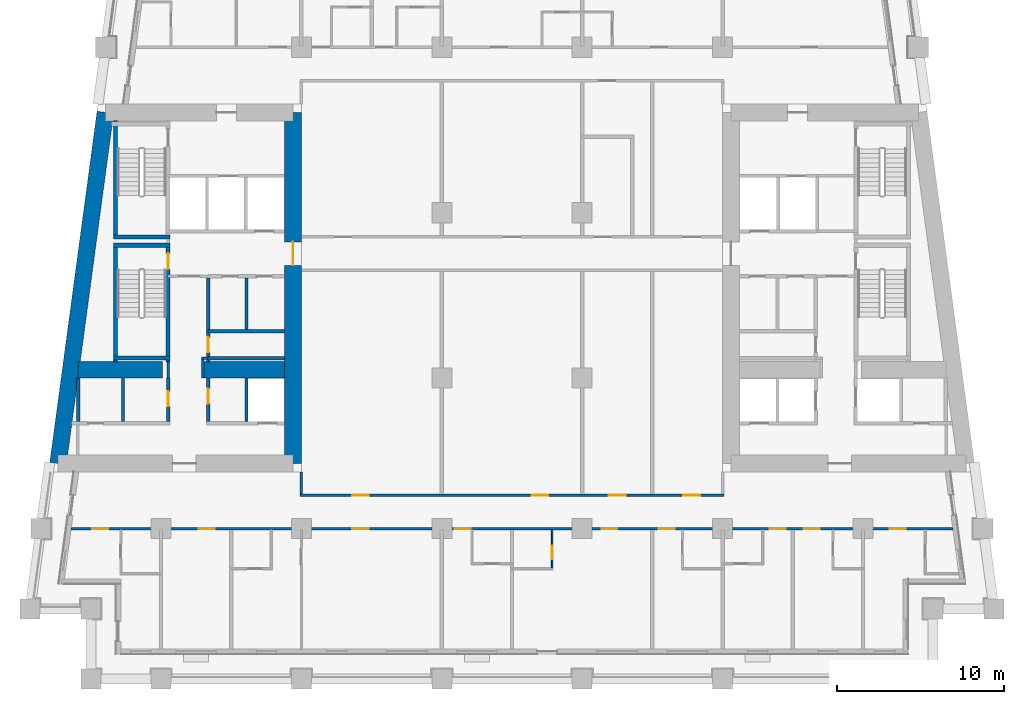
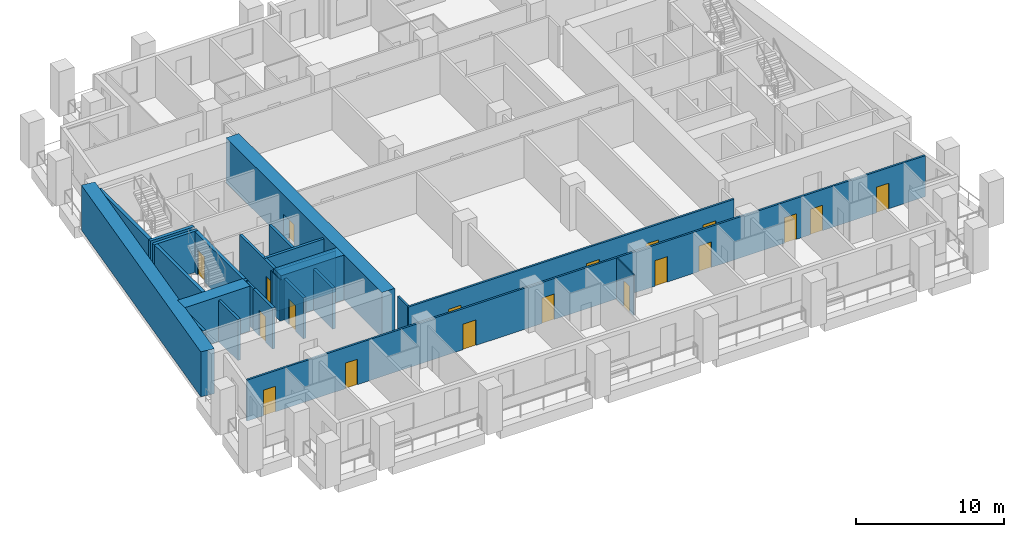
# One storey, part 3 of 13: 26 walls, 19 doors, 19 openings.
"""IFC4 building model written with IfcOpenShell, lengths in metres."""

import ifcopenshell
import ifcopenshell.guid

model = None  # the IFC model being written
_history = None  # IfcOwnerHistory: only IFC2X3 demands one
_inside = {}  # id of a spatial element -> (the spatial element, [elements in it])
_under = {}  # id of a project, library or spatial element -> (it, [spatial elements below it])
_declared = {}  # id of a project -> (the project, [libraries it declares])
_typed = {}  # id of a type object -> (the type object, [elements of that type])
_made_of = {}  # id of a material, layer set ... -> (it, [elements and type objects made of it])


def new_model(schema):
    """Start an empty IFC model of exactly this schema.

    Asked for "IFC4X3", IfcOpenShell would pick the latest addendum, in which some entities
    have other attributes; the version numbers below select the first issue.
    IFC2X3 requires an IfcOwnerHistory on every rooted entity: one is made here for all.
    """
    global model, _history
    if schema == "IFC4X3":
        model = ifcopenshell.file(schema_version=(4, 3, 0, 0))
    else:
        model = ifcopenshell.file(schema=schema)
    _inside.clear()
    _under.clear()
    _declared.clear()
    _typed.clear()
    _made_of.clear()
    _history = None
    if model.schema == "IFC2X3":
        org = make("IfcOrganization", Name="unknown")
        user = make(
            "IfcPersonAndOrganization",
            ThePerson=make("IfcPerson", FamilyName="unknown"),
            TheOrganization=org,
        )
        app = make(
            "IfcApplication",
            ApplicationDeveloper=org,
            Version="unknown",
            ApplicationFullName="unknown",
            ApplicationIdentifier="unknown",
        )
        _history = make(
            "IfcOwnerHistory",
            OwningUser=user,
            OwningApplication=app,
            ChangeAction="ADDED",
            CreationDate=0,
        )
    return model


def make(cls, **values):
    """One entity of the class cls with the attributes given. An attribute that is None is left unset."""
    return model.create_entity(
        cls, **{name: value for name, value in values.items() if value is not None}
    )


def rooted(cls, **values):
    """An entity with a GlobalId (a new one), such as an element, a storey or a relation."""
    return make(cls, GlobalId=ifcopenshell.guid.new(), OwnerHistory=_history, **values)


def si_unit(unit_type, name, prefix=None):
    """IfcSIUnit, for example si_unit("LENGTHUNIT", "METRE", prefix="MILLI")."""
    return make("IfcSIUnit", UnitType=unit_type, Prefix=prefix, Name=name)


def assignment(units):
    """IfcUnitAssignment: the units of a project."""
    return None if units is None else make("IfcUnitAssignment", Units=units)


def point(xyz):
    """IfcCartesianPoint."""
    return None if xyz is None else make("IfcCartesianPoint", Coordinates=xyz)


def direction(xyz):
    """IfcDirection."""
    return None if xyz is None else make("IfcDirection", DirectionRatios=xyz)


def frame(location, z_axis=None, x_axis=None):
    """IfcAxis2Placement3D, a coordinate frame: its origin and axes. An axis left out is left unset."""
    return make(
        "IfcAxis2Placement3D",
        Location=point(location),
        Axis=direction(z_axis),
        RefDirection=direction(x_axis),
    )


def frame_2d(location, x_axis=None):
    """IfcAxis2Placement2D, a coordinate frame in the plane: its origin and x axis."""
    return make(
        "IfcAxis2Placement2D", Location=point(location), RefDirection=direction(x_axis)
    )


def origin():
    """The frame at (0, 0, 0) with its axes left unset."""
    return frame((0.0, 0.0, 0.0))


def place(relative_to, where):
    """IfcLocalPlacement: puts the frame where relative to a parent placement (None: the world)."""
    return make(
        "IfcLocalPlacement", PlacementRelTo=relative_to, RelativePlacement=where
    )


def context(
    kind, dimensions, precision=None, world=None, true_north=None, identifier=None
):
    """IfcGeometricRepresentationContext, for example the 3D "Model" context."""
    return make(
        "IfcGeometricRepresentationContext",
        ContextIdentifier=identifier,
        ContextType=kind,
        CoordinateSpaceDimension=dimensions,
        Precision=precision,
        WorldCoordinateSystem=world,
        TrueNorth=true_north,
    )


def subcontext(parent, identifier, kind, view, scale=None):
    """IfcGeometricRepresentationSubContext, for example "Body" below "Model"."""
    return make(
        "IfcGeometricRepresentationSubContext",
        ContextIdentifier=identifier,
        ContextType=kind,
        ParentContext=parent,
        TargetScale=scale,
        TargetView=view,
    )


def project(units=None, contexts=None):
    """IfcProject with its units and contexts."""
    return rooted(
        "IfcProject",
        Name="project",
        RepresentationContexts=contexts,
        UnitsInContext=assignment(units),
    )


def spatial(cls, under=None, at=None, **own):
    """A site, building, storey or space (cls), placed at a placement, below another one or the project."""
    s = rooted(cls, ObjectPlacement=at, **own)
    if under is not None:
        _under.setdefault(under.id(), (under, []))[1].append(s)
    return s


def profile(cls, at=None, kind="AREA", **sizes):
    """A parametric profile (cls). Its sizes go by their IFC names, for example OverallWidth=200.0."""
    return make(cls, ProfileType=kind, Position=at, **sizes)


def rectangle(**sizes):
    """IfcRectangleProfileDef."""
    return profile("IfcRectangleProfileDef", **sizes)


def extrude(swept, where, along, depth):
    """IfcExtrudedAreaSolid: the profile swept, set in the frame where, extruded along a direction by depth."""
    return make(
        "IfcExtrudedAreaSolid",
        SweptArea=swept,
        Position=where,
        ExtrudedDirection=direction(along),
        Depth=depth,
    )


def shape(context_of_items, identifier, shape_type, items):
    """IfcShapeRepresentation: the items that make up one representation, for example the "Body"."""
    return make(
        "IfcShapeRepresentation",
        ContextOfItems=context_of_items,
        RepresentationIdentifier=identifier,
        RepresentationType=shape_type,
        Items=items,
    )


def material(Name=None, Category=None):
    """IfcMaterial."""
    return make("IfcMaterial", Name=Name, Category=Category)


def layer(
    of_material, thickness, ventilated=None, Name=None, Category=None, Priority=None
):
    """IfcMaterialLayer: one layer of a wall or slab, of a material (None: an air gap)."""
    return make(
        "IfcMaterialLayer",
        Material=of_material,
        LayerThickness=thickness,
        IsVentilated=ventilated,
        Name=Name,
        Category=Category,
        Priority=Priority,
    )


def layer_set(layers, Name=None):
    """IfcMaterialLayerSet."""
    return make("IfcMaterialLayerSet", MaterialLayers=layers, LayerSetName=Name)


def made_of(thing, what):
    """Note that an element or type object is made of a material, layer set ...; save() writes the relation."""
    if what is not None:
        _made_of.setdefault(what.id(), (what, []))[1].append(thing)
    return thing


def type_object(cls, material=None, **own):
    """A type object (cls), such as IfcWallType, which elements share."""
    return made_of(rooted(cls, **own), material)


def element(
    cls,
    number,
    at=None,
    inside=None,
    cuts=None,
    type_object=None,
    material=None,
    context=None,
    identifier="Body",
    shape_type=None,
    held_by="IfcProductDefinitionShape",
    body=None,
    shapes=None,
    **own,
):
    """One element of the class cls, such as IfcWall. Its Tag is "e" and its number.

    at: its placement. inside: the storey or other place that contains it. cuts: it is an
    opening in that element (IfcRelVoidsElement). A single representation is given by context,
    identifier, shape_type and body (its items); several are given by shapes. held_by: the class
    of the entity that holds the representations. save() writes the other relations.
    """
    e = rooted(cls, Tag="e%d" % number, ObjectPlacement=at, **own)
    if body is not None:
        shapes = [shape(context, identifier, shape_type, body)]
    if shapes is not None:
        e.Representation = make(held_by, Representations=shapes)
    if inside is not None:
        _inside.setdefault(inside.id(), (inside, []))[1].append(e)
    if cuts is not None:
        rooted(
            "IfcRelVoidsElement", RelatingBuildingElement=cuts, RelatedOpeningElement=e
        )
    if type_object is not None:
        _typed.setdefault(type_object.id(), (type_object, []))[1].append(e)
    return made_of(e, material)


def fill(opening, filler):
    """IfcRelFillsElement: the door or window that sits in an opening."""
    return rooted(
        "IfcRelFillsElement",
        RelatingOpeningElement=opening,
        RelatedBuildingElement=filler,
    )


def aggregate(whole, parts):
    """IfcRelAggregates: a whole, such as a stair, and the parts it consists of."""
    return rooted("IfcRelAggregates", RelatingObject=whole, RelatedObjects=parts)


def save(model, path):
    """Write the relations noted so far, then the file.

    IfcRelAggregates (storeys below a building ...), IfcRelContainedInSpatialStructure (elements
    in a storey), IfcRelDefinesByType, IfcRelAssociatesMaterial and IfcRelDeclares: one each for
    every whole, place, type object, material and project.
    """
    for whole, parts in _under.values():
        aggregate(whole, parts)
    for where, things in _inside.values():
        rooted(
            "IfcRelContainedInSpatialStructure",
            RelatedElements=things,
            RelatingStructure=where,
        )
    for kind, things in _typed.values():
        rooted("IfcRelDefinesByType", RelatedObjects=things, RelatingType=kind)
    for what, things in _made_of.values():
        rooted("IfcRelAssociatesMaterial", RelatedObjects=things, RelatingMaterial=what)
    for by, libraries in _declared.values():
        rooted("IfcRelDeclares", RelatingContext=by, RelatedDefinitions=libraries)
    model.write(path)


model = new_model("IFC4")

# Units and contexts
model_context = context("Model", 3, precision=1e-05, world=origin(), true_north=direction((0.0, 1.0)))
body_context = subcontext(model_context, "Body", "Model", "MODEL_VIEW")
ifc_project = project(units=[si_unit("LENGTHUNIT", "METRE"), si_unit("AREAUNIT", "SQUARE_METRE"), si_unit("VOLUMEUNIT", "CUBIC_METRE"), si_unit("PLANEANGLEUNIT", "RADIAN"), si_unit("MASSUNIT", "GRAM", prefix="KILO")], contexts=[model_context])

# Site, building, storey
site_placement = place(None, origin())
site = spatial("IfcSite", under=ifc_project, at=site_placement, CompositionType="ELEMENT")
building_placement = place(site_placement, origin())
building = spatial("IfcBuilding", under=site, at=building_placement, Name="Candeia Pilgrim Tower and Theatre", CompositionType="ELEMENT")
storey_placement = place(building_placement, frame((0.0, 0.0, 128.0)))
storey = spatial("IfcBuildingStorey", under=building, at=storey_placement, Name="L30", CompositionType="ELEMENT", Elevation=128.0)

# Wall, opening, door
ifc_material_1 = material(Name="Concrete C70/85", Category="concrete")
ifc_layer_1 = layer(ifc_material_1, 1.0)
ifc_layer_set_1 = layer_set([ifc_layer_1], Name="Core wall 1000 C70/85")
wall_type_1 = type_object("IfcWallType", Name="Core wall 1000 C70/85", PredefinedType="SHEAR", material=ifc_layer_set_1)
wall_1_placement = place(storey_placement, frame((100.300048828125, 131.89990234375, 0.0), z_axis=(0.0, 0.0, 1.0), x_axis=(0.0, -1.0, 0.0)))
wall_1 = element("IfcWall", 1, at=wall_1_placement, inside=storey, type_object=wall_type_1, Name="Core wall W2", PredefinedType="SHEAR", context=body_context, shape_type="SweptSolid", body=[
    extrude(rectangle(XDim=21.0, YDim=1.0, at=frame_2d((10.5, 0.0))), origin(), (0.0, 0.0, 1.0), 3.699951171875),
])
opening_1_placement = place(wall_1_placement, frame((7.75, 0.0, 0.0)))
opening_1 = element("IfcOpeningElement", 2, at=opening_1_placement, cuts=wall_1, Name="Opening L30-D058", PredefinedType="OPENING", context=body_context, shape_type="SweptSolid", body=[
    extrude(rectangle(XDim=1.39990234375, YDim=2.10009765625, at=frame_2d((0.699951171875, 1.050048828125))), frame((0.0, 0.510009765625, 0.0), z_axis=(0.0, -1.0, 0.0), x_axis=(1.0, 0.0, 0.0)), (0.0, 0.0, 1.0), 1.02001953125),
])
ifc_material_2 = material(Name="Steel fire door set", Category="steel")
door_type_1 = type_object("IfcDoorType", Name="D-1400-FD60", OperationType="NOTDEFINED", PredefinedType="DOOR", material=ifc_material_2)
door_1_placement = place(opening_1_placement, origin())
door_1 = element("IfcDoor", 3, at=door_1_placement, inside=storey, type_object=door_type_1, Name="Door L30-D058", OperationType="SINGLE_SWING_RIGHT", OverallHeight=2.10009765625, OverallWidth=1.39990234375, PredefinedType="DOOR", context=body_context, shape_type="SweptSolid", body=[
    extrude(rectangle(XDim=1.39990234375, YDim=2.10009765625, at=frame_2d((0.699951171875, 1.050048828125))), frame((0.0, 0.02490234375, 0.0), z_axis=(0.0, -1.0, 0.0), x_axis=(1.0, 0.0, 0.0)), (0.0, 0.0, 1.0), 0.050048828125),
])
fill(opening_1, door_1)

# Walls
wall_2_placement = place(storey_placement, frame((86.240966796875, 110.89990234375, 0.0), z_axis=(0.0, 0.0, 1.0), x_axis=(0.133411141623, 0.991060778808, 0.0)))
element("IfcWall", 4, at=wall_2_placement, inside=storey, type_object=wall_type_1, Name="Core wall W4", PredefinedType="SHEAR", context=body_context, shape_type="SweptSolid", body=[
    extrude(rectangle(XDim=21.189453125, YDim=1.0, at=frame_2d((10.5947265625, 0.0))), origin(), (0.0, 0.0, 1.0), 3.699951171875),
])
wall_3_placement = place(storey_placement, frame((87.423095703125, 116.5, 0.0), z_axis=(0.0, 0.0, 1.0), x_axis=(1.0, 0.0, 0.0)))
element("IfcWall", 5, at=wall_3_placement, inside=storey, type_object=wall_type_1, Name="Core wall W5", PredefinedType="SHEAR", context=body_context, shape_type="SweptSolid", body=[
    extrude(rectangle(XDim=5.076904296875, YDim=1.0, at=frame_2d((2.53857421875, 0.0))), origin(), (0.0, 0.0, 1.0), 3.699951171875),
])
wall_4_placement = place(storey_placement, frame((94.89990234375, 116.5, 0.0), z_axis=(0.0, 0.0, 1.0), x_axis=(1.0, 0.0, 0.0)))
element("IfcWall", 6, at=wall_4_placement, inside=storey, type_object=wall_type_1, Name="Core wall W6", PredefinedType="SHEAR", context=body_context, shape_type="SweptSolid", body=[
    extrude(rectangle(XDim=4.900146484375, YDim=1.0, at=frame_2d((2.4501953125, 0.0))), origin(), (0.0, 0.0, 1.0), 3.699951171875),
])

# Wall, opening, door
ifc_material_3 = material(Name="Gypsum board partition on steel studs", Category="steel")
ifc_layer_2 = layer(ifc_material_3, 0.10009765625)
ifc_layer_set_2 = layer_set([ifc_layer_2], Name="PW-100 room partition")
wall_type_2 = type_object("IfcWallType", Name="PW-100 room partition", PredefinedType="PARTITIONING", material=ifc_layer_set_2)
wall_5_placement = place(storey_placement, frame((115.800048828125, 104.64990234375, 0.0), z_axis=(0.0, 0.0, 1.0), x_axis=(0.0, 1.0, 0.0)))
wall_5 = element("IfcWall", 7, at=wall_5_placement, inside=storey, type_object=wall_type_2, Name="Room partition L30-085", PredefinedType="PARTITIONING", context=body_context, shape_type="SweptSolid", body=[
    extrude(rectangle(XDim=2.275146484375, YDim=0.10009765625, at=frame_2d((1.1376953125, 0.0))), origin(), (0.0, 0.0, 1.0), 3.3798828125),
])
opening_2_placement = place(wall_5_placement, frame((0.52490234375, 0.0, 0.0)))
opening_2 = element("IfcOpeningElement", 8, at=opening_2_placement, cuts=wall_5, Name="Opening L30-D026", PredefinedType="OPENING", context=body_context, shape_type="SweptSolid", body=[
    extrude(rectangle(XDim=0.800048828125, YDim=2.10009765625, at=frame_2d((0.39990234375, 1.050048828125))), frame((0.0, 0.06005859375, 0.0), z_axis=(0.0, -1.0, 0.0), x_axis=(1.0, 0.0, 0.0)), (0.0, 0.0, 1.0), 0.1201171875),
])
ifc_material_4 = material(Name="Timber door leaf", Category="wood")
door_type_2 = type_object("IfcDoorType", Name="D-800", OperationType="NOTDEFINED", PredefinedType="DOOR", material=ifc_material_4)
door_2_placement = place(opening_2_placement, origin())
door_2 = element("IfcDoor", 9, at=door_2_placement, inside=storey, type_object=door_type_2, Name="Door L30-D026", OperationType="SINGLE_SWING_RIGHT", OverallHeight=2.10009765625, OverallWidth=0.800048828125, PredefinedType="DOOR", context=body_context, shape_type="SweptSolid", body=[
    extrude(rectangle(XDim=0.800048828125, YDim=2.10009765625, at=frame_2d((0.39990234375, 1.050048828125))), frame((0.0, 0.02490234375, 0.0), z_axis=(0.0, -1.0, 0.0), x_axis=(1.0, 0.0, 0.0)), (0.0, 0.0, 1.0), 0.050048828125),
])
fill(opening_2, door_2)

# Walls
ifc_layer_3 = layer(ifc_material_3, 0.14990234375)
ifc_layer_set_3 = layer_set([ifc_layer_3], Name="PW-150 lobby wall")
wall_type_3 = type_object("IfcWallType", Name="PW-150 lobby wall", PredefinedType="PARTITIONING", material=ifc_layer_set_3)
wall_6_placement = place(storey_placement, frame((94.824951171875, 117.199951171875, 0.0), z_axis=(0.0, 0.0, 1.0), x_axis=(1.0, 0.0, 0.0)))
element("IfcWall", 10, at=wall_6_placement, inside=storey, type_object=wall_type_3, Name="Lobby wall L30-017", PredefinedType="PARTITIONING", context=body_context, shape_type="SweptSolid", body=[
    extrude(rectangle(XDim=0.402099609375, YDim=0.14990234375, at=frame_2d((0.201171875, 0.0))), origin(), (0.0, 0.0, 1.0), 3.3798828125),
])
wall_7_placement = place(storey_placement, frame((92.826904296875, 116.0, 0.0), z_axis=(0.0, 0.0, 1.0), x_axis=(0.0, 1.0, 0.0)))
element("IfcWall", 11, at=wall_7_placement, inside=storey, type_object=wall_type_3, Name="Lobby wall L30-056", PredefinedType="PARTITIONING", context=body_context, shape_type="SweptSolid", body=[
    extrude(rectangle(XDim=0.969970703125, YDim=0.14990234375, at=frame_2d((0.48486328125, 0.0))), origin(), (0.0, 0.0, 1.0), 3.3798828125),
])
wall_8_placement = place(storey_placement, frame((94.89990234375, 116.0, 0.0), z_axis=(0.0, 0.0, 1.0), x_axis=(0.0, 1.0, 0.0)))
element("IfcWall", 12, at=wall_8_placement, inside=storey, type_object=wall_type_3, Name="Lobby wall L30-061", PredefinedType="PARTITIONING", context=body_context, shape_type="SweptSolid", body=[
    extrude(rectangle(XDim=1.125, YDim=0.14990234375, at=frame_2d((0.5625, 0.0))), origin(), (0.0, 0.0, 1.0), 3.3798828125),
])

# Wall, openings, doors
ifc_layer_4 = layer(ifc_material_3, 0.14990234375)
ifc_layer_set_4 = layer_set([ifc_layer_4], Name="PW-150 unit wall")
wall_type_4 = type_object("IfcWallType", Name="PW-150 unit wall", PredefinedType="PARTITIONING", material=ifc_layer_set_4)
wall_9_placement = place(storey_placement, frame((87.017578125, 107.0, 0.0), z_axis=(0.0, 0.0, 1.0), x_axis=(1.0, 0.0, 0.0)))
wall_9 = element("IfcWall", 13, at=wall_9_placement, inside=storey, type_object=wall_type_4, Name="Unit wall L30-009", PredefinedType="PARTITIONING", context=body_context, shape_type="SweptSolid", body=[
    extrude(rectangle(XDim=52.7646484375, YDim=0.14990234375, at=frame_2d((26.38232421875, 0.0))), origin(), (0.0, 0.0, 1.0), 3.3798828125),
])
opening_3_placement = place(wall_9_placement, frame((1.2763671875, 0.0, 0.0)))
opening_3 = element("IfcOpeningElement", 14, at=opening_3_placement, cuts=wall_9, Name="Opening L30-D017", PredefinedType="OPENING", context=body_context, shape_type="SweptSolid", body=[
    extrude(rectangle(XDim=0.949951171875, YDim=2.10009765625, at=frame_2d((0.47509765625, 1.050048828125))), frame((0.0, 0.0849609375, 0.0), z_axis=(0.0, -1.0, 0.0), x_axis=(1.0, 0.0, 0.0)), (0.0, 0.0, 1.0), 0.169921875),
])
opening_4_placement = place(wall_9_placement, frame((7.645263671875, 0.0, 0.0)))
opening_4 = element("IfcOpeningElement", 15, at=opening_4_placement, cuts=wall_9, Name="Opening L30-D019", PredefinedType="OPENING", context=body_context, shape_type="SweptSolid", body=[
    extrude(rectangle(XDim=0.949951171875, YDim=2.10009765625, at=frame_2d((0.47509765625, 1.050048828125))), frame((0.0, 0.0849609375, 0.0), z_axis=(0.0, -1.0, 0.0), x_axis=(1.0, 0.0, 0.0)), (0.0, 0.0, 1.0), 0.169921875),
])
opening_5_placement = place(wall_9_placement, frame((16.812255859375, 0.0, 0.0)))
opening_5 = element("IfcOpeningElement", 16, at=opening_5_placement, cuts=wall_9, Name="Opening L30-D020", PredefinedType="OPENING", context=body_context, shape_type="SweptSolid", body=[
    extrude(rectangle(XDim=1.0, YDim=2.10009765625, at=frame_2d((0.5, 1.050048828125))), frame((0.0, 0.0849609375, 0.0), z_axis=(0.0, -1.0, 0.0), x_axis=(1.0, 0.0, 0.0)), (0.0, 0.0, 1.0), 0.169921875),
])
opening_6_placement = place(wall_9_placement, frame((22.952392578125, 0.0, 0.0)))
opening_6 = element("IfcOpeningElement", 17, at=opening_6_placement, cuts=wall_9, Name="Opening L30-D023", PredefinedType="OPENING", context=body_context, shape_type="SweptSolid", body=[
    extrude(rectangle(XDim=0.949951171875, YDim=2.10009765625, at=frame_2d((0.47509765625, 1.050048828125))), frame((0.0, 0.0849609375, 0.0), z_axis=(0.0, -1.0, 0.0), x_axis=(1.0, 0.0, 0.0)), (0.0, 0.0, 1.0), 0.169921875),
])
opening_7_placement = place(wall_9_placement, frame((31.7421875, 0.0, 0.0)))
opening_7 = element("IfcOpeningElement", 18, at=opening_7_placement, cuts=wall_9, Name="Opening L30-D025", PredefinedType="OPENING", context=body_context, shape_type="SweptSolid", body=[
    extrude(rectangle(XDim=0.949951171875, YDim=2.10009765625, at=frame_2d((0.47509765625, 1.050048828125))), frame((0.0, 0.0849609375, 0.0), z_axis=(0.0, -1.0, 0.0), x_axis=(1.0, 0.0, 0.0)), (0.0, 0.0, 1.0), 0.169921875),
])
opening_8_placement = place(wall_9_placement, frame((35.169189453125, 0.0, 0.0)))
opening_8 = element("IfcOpeningElement", 19, at=opening_8_placement, cuts=wall_9, Name="Opening L30-D027", PredefinedType="OPENING", context=body_context, shape_type="SweptSolid", body=[
    extrude(rectangle(XDim=0.949951171875, YDim=2.10009765625, at=frame_2d((0.47509765625, 1.050048828125))), frame((0.0, 0.0849609375, 0.0), z_axis=(0.0, -1.0, 0.0), x_axis=(1.0, 0.0, 0.0)), (0.0, 0.0, 1.0), 0.169921875),
])
opening_9_placement = place(wall_9_placement, frame((41.807373046875, 0.0, 0.0)))
opening_9 = element("IfcOpeningElement", 20, at=opening_9_placement, cuts=wall_9, Name="Opening L30-D029", PredefinedType="OPENING", context=body_context, shape_type="SweptSolid", body=[
    extrude(rectangle(XDim=0.949951171875, YDim=2.10009765625, at=frame_2d((0.47509765625, 1.050048828125))), frame((0.0, 0.0849609375, 0.0), z_axis=(0.0, -1.0, 0.0), x_axis=(1.0, 0.0, 0.0)), (0.0, 0.0, 1.0), 0.169921875),
])
opening_10_placement = place(wall_9_placement, frame((43.832275390625, 0.0, 0.0)))
opening_10 = element("IfcOpeningElement", 21, at=opening_10_placement, cuts=wall_9, Name="Opening L30-D031", PredefinedType="OPENING", context=body_context, shape_type="SweptSolid", body=[
    extrude(rectangle(XDim=0.949951171875, YDim=2.10009765625, at=frame_2d((0.47509765625, 1.050048828125))), frame((0.0, 0.0849609375, 0.0), z_axis=(0.0, -1.0, 0.0), x_axis=(1.0, 0.0, 0.0)), (0.0, 0.0, 1.0), 0.169921875),
])
opening_11_placement = place(wall_9_placement, frame((48.974365234375, 0.0, 0.0)))
opening_11 = element("IfcOpeningElement", 22, at=opening_11_placement, cuts=wall_9, Name="Opening L30-D033", PredefinedType="OPENING", context=body_context, shape_type="SweptSolid", body=[
    extrude(rectangle(XDim=0.949951171875, YDim=2.10009765625, at=frame_2d((0.47509765625, 1.050048828125))), frame((0.0, 0.0849609375, 0.0), z_axis=(0.0, -1.0, 0.0), x_axis=(1.0, 0.0, 0.0)), (0.0, 0.0, 1.0), 0.169921875),
])
door_type_3 = type_object("IfcDoorType", Name="D-1000-FD30S", OperationType="NOTDEFINED", PredefinedType="DOOR", material=ifc_material_2)
door_3_placement = place(opening_5_placement, origin())
door_3 = element("IfcDoor", 23, at=door_3_placement, inside=storey, type_object=door_type_3, Name="Door L30-D020", OperationType="SINGLE_SWING_RIGHT", OverallHeight=2.10009765625, OverallWidth=1.0, PredefinedType="DOOR", context=body_context, shape_type="SweptSolid", body=[
    extrude(rectangle(XDim=1.0, YDim=2.10009765625, at=frame_2d((0.5, 1.050048828125))), frame((0.0, 0.02490234375, 0.0), z_axis=(0.0, -1.0, 0.0), x_axis=(1.0, 0.0, 0.0)), (0.0, 0.0, 1.0), 0.050048828125),
])
fill(opening_5, door_3)
door_type_4 = type_object("IfcDoorType", Name="D-950-FD30S", OperationType="NOTDEFINED", PredefinedType="DOOR", material=ifc_material_2)
door_4_placement = place(opening_3_placement, origin())
door_4 = element("IfcDoor", 24, at=door_4_placement, inside=storey, type_object=door_type_4, Name="Door L30-D017", OperationType="SINGLE_SWING_LEFT", OverallHeight=2.10009765625, OverallWidth=0.949951171875, PredefinedType="DOOR", context=body_context, shape_type="SweptSolid", body=[
    extrude(rectangle(XDim=0.949951171875, YDim=2.10009765625, at=frame_2d((0.47509765625, 1.050048828125))), frame((0.0, 0.02490234375, 0.0), z_axis=(0.0, -1.0, 0.0), x_axis=(1.0, 0.0, 0.0)), (0.0, 0.0, 1.0), 0.050048828125),
])
fill(opening_3, door_4)
door_5_placement = place(opening_4_placement, origin())
door_5 = element("IfcDoor", 25, at=door_5_placement, inside=storey, type_object=door_type_4, Name="Door L30-D019", OperationType="SINGLE_SWING_LEFT", OverallHeight=2.10009765625, OverallWidth=0.949951171875, PredefinedType="DOOR", context=body_context, shape_type="SweptSolid", body=[
    extrude(rectangle(XDim=0.949951171875, YDim=2.10009765625, at=frame_2d((0.47509765625, 1.050048828125))), frame((0.0, 0.02490234375, 0.0), z_axis=(0.0, -1.0, 0.0), x_axis=(1.0, 0.0, 0.0)), (0.0, 0.0, 1.0), 0.050048828125),
])
fill(opening_4, door_5)
door_6_placement = place(opening_6_placement, origin())
door_6 = element("IfcDoor", 26, at=door_6_placement, inside=storey, type_object=door_type_4, Name="Door L30-D023", OperationType="SINGLE_SWING_LEFT", OverallHeight=2.10009765625, OverallWidth=0.949951171875, PredefinedType="DOOR", context=body_context, shape_type="SweptSolid", body=[
    extrude(rectangle(XDim=0.949951171875, YDim=2.10009765625, at=frame_2d((0.47509765625, 1.050048828125))), frame((0.0, 0.02490234375, 0.0), z_axis=(0.0, -1.0, 0.0), x_axis=(1.0, 0.0, 0.0)), (0.0, 0.0, 1.0), 0.050048828125),
])
fill(opening_6, door_6)
door_7_placement = place(opening_7_placement, origin())
door_7 = element("IfcDoor", 27, at=door_7_placement, inside=storey, type_object=door_type_4, Name="Door L30-D025", OperationType="SINGLE_SWING_LEFT", OverallHeight=2.10009765625, OverallWidth=0.949951171875, PredefinedType="DOOR", context=body_context, shape_type="SweptSolid", body=[
    extrude(rectangle(XDim=0.949951171875, YDim=2.10009765625, at=frame_2d((0.47509765625, 1.050048828125))), frame((0.0, 0.02490234375, 0.0), z_axis=(0.0, -1.0, 0.0), x_axis=(1.0, 0.0, 0.0)), (0.0, 0.0, 1.0), 0.050048828125),
])
fill(opening_7, door_7)
door_8_placement = place(opening_8_placement, origin())
door_8 = element("IfcDoor", 28, at=door_8_placement, inside=storey, type_object=door_type_4, Name="Door L30-D027", OperationType="SINGLE_SWING_LEFT", OverallHeight=2.10009765625, OverallWidth=0.949951171875, PredefinedType="DOOR", context=body_context, shape_type="SweptSolid", body=[
    extrude(rectangle(XDim=0.949951171875, YDim=2.10009765625, at=frame_2d((0.47509765625, 1.050048828125))), frame((0.0, 0.02490234375, 0.0), z_axis=(0.0, -1.0, 0.0), x_axis=(1.0, 0.0, 0.0)), (0.0, 0.0, 1.0), 0.050048828125),
])
fill(opening_8, door_8)
door_9_placement = place(opening_9_placement, origin())
door_9 = element("IfcDoor", 29, at=door_9_placement, inside=storey, type_object=door_type_4, Name="Door L30-D029", OperationType="SINGLE_SWING_LEFT", OverallHeight=2.10009765625, OverallWidth=0.949951171875, PredefinedType="DOOR", context=body_context, shape_type="SweptSolid", body=[
    extrude(rectangle(XDim=0.949951171875, YDim=2.10009765625, at=frame_2d((0.47509765625, 1.050048828125))), frame((0.0, 0.02490234375, 0.0), z_axis=(0.0, -1.0, 0.0), x_axis=(1.0, 0.0, 0.0)), (0.0, 0.0, 1.0), 0.050048828125),
])
fill(opening_9, door_9)
door_10_placement = place(opening_10_placement, origin())
door_10 = element("IfcDoor", 30, at=door_10_placement, inside=storey, type_object=door_type_4, Name="Door L30-D031", OperationType="SINGLE_SWING_LEFT", OverallHeight=2.10009765625, OverallWidth=0.949951171875, PredefinedType="DOOR", context=body_context, shape_type="SweptSolid", body=[
    extrude(rectangle(XDim=0.949951171875, YDim=2.10009765625, at=frame_2d((0.47509765625, 1.050048828125))), frame((0.0, 0.02490234375, 0.0), z_axis=(0.0, -1.0, 0.0), x_axis=(1.0, 0.0, 0.0)), (0.0, 0.0, 1.0), 0.050048828125),
])
fill(opening_10, door_10)
door_11_placement = place(opening_11_placement, origin())
door_11 = element("IfcDoor", 31, at=door_11_placement, inside=storey, type_object=door_type_4, Name="Door L30-D033", OperationType="SINGLE_SWING_LEFT", OverallHeight=2.10009765625, OverallWidth=0.949951171875, PredefinedType="DOOR", context=body_context, shape_type="SweptSolid", body=[
    extrude(rectangle(XDim=0.949951171875, YDim=2.10009765625, at=frame_2d((0.47509765625, 1.050048828125))), frame((0.0, 0.02490234375, 0.0), z_axis=(0.0, -1.0, 0.0), x_axis=(1.0, 0.0, 0.0)), (0.0, 0.0, 1.0), 0.050048828125),
])
fill(opening_11, door_11)

wall_10_placement = place(storey_placement, frame((100.72509765625, 109.0, 0.0), z_axis=(0.0, 0.0, 1.0), x_axis=(1.0, 0.0, 0.0)))
wall_10 = element("IfcWall", 32, at=wall_10_placement, inside=storey, type_object=wall_type_4, Name="Unit wall L30-010", PredefinedType="PARTITIONING", context=body_context, shape_type="SweptSolid", body=[
    extrude(rectangle(XDim=25.349853515625, YDim=0.14990234375, at=frame_2d((12.6748046875, 0.0))), origin(), (0.0, 0.0, 1.0), 3.3798828125),
])
opening_12_placement = place(wall_10_placement, frame((3.10498046875, 0.0, 0.0)))
opening_12 = element("IfcOpeningElement", 33, at=opening_12_placement, cuts=wall_10, Name="Opening L30-D048", PredefinedType="OPENING", context=body_context, shape_type="SweptSolid", body=[
    extrude(rectangle(XDim=1.0, YDim=2.10009765625, at=frame_2d((0.5, 1.050048828125))), frame((0.0, 0.0849609375, 0.0), z_axis=(0.0, -1.0, 0.0), x_axis=(1.0, 0.0, 0.0)), (0.0, 0.0, 1.0), 0.169921875),
])
opening_13_placement = place(wall_10_placement, frame((13.85009765625, 0.0, 0.0)))
opening_13 = element("IfcOpeningElement", 34, at=opening_13_placement, cuts=wall_10, Name="Opening L30-D049", PredefinedType="OPENING", context=body_context, shape_type="SweptSolid", body=[
    extrude(rectangle(XDim=1.0, YDim=2.10009765625, at=frame_2d((0.5, 1.050048828125))), frame((0.0, 0.0849609375, 0.0), z_axis=(0.0, -1.0, 0.0), x_axis=(1.0, 0.0, 0.0)), (0.0, 0.0, 1.0), 0.169921875),
])
opening_14_placement = place(wall_10_placement, frame((18.47509765625, 0.0, 0.0)))
opening_14 = element("IfcOpeningElement", 35, at=opening_14_placement, cuts=wall_10, Name="Opening L30-D050", PredefinedType="OPENING", context=body_context, shape_type="SweptSolid", body=[
    extrude(rectangle(XDim=1.0, YDim=2.10009765625, at=frame_2d((0.5, 1.050048828125))), frame((0.0, 0.0849609375, 0.0), z_axis=(0.0, -1.0, 0.0), x_axis=(1.0, 0.0, 0.0)), (0.0, 0.0, 1.0), 0.169921875),
])
opening_15_placement = place(wall_10_placement, frame((22.925048828125, 0.0, 0.0)))
opening_15 = element("IfcOpeningElement", 36, at=opening_15_placement, cuts=wall_10, Name="Opening L30-D051", PredefinedType="OPENING", context=body_context, shape_type="SweptSolid", body=[
    extrude(rectangle(XDim=1.0, YDim=2.10009765625, at=frame_2d((0.5, 1.050048828125))), frame((0.0, 0.0849609375, 0.0), z_axis=(0.0, -1.0, 0.0), x_axis=(1.0, 0.0, 0.0)), (0.0, 0.0, 1.0), 0.169921875),
])
door_12_placement = place(opening_12_placement, origin())
door_12 = element("IfcDoor", 37, at=door_12_placement, inside=storey, type_object=door_type_3, Name="Door L30-D048", OperationType="SINGLE_SWING_RIGHT", OverallHeight=2.10009765625, OverallWidth=1.0, PredefinedType="DOOR", context=body_context, shape_type="SweptSolid", body=[
    extrude(rectangle(XDim=1.0, YDim=2.10009765625, at=frame_2d((0.5, 1.050048828125))), frame((0.0, 0.02490234375, 0.0), z_axis=(0.0, -1.0, 0.0), x_axis=(1.0, 0.0, 0.0)), (0.0, 0.0, 1.0), 0.050048828125),
])
fill(opening_12, door_12)
door_13_placement = place(opening_13_placement, origin())
door_13 = element("IfcDoor", 38, at=door_13_placement, inside=storey, type_object=door_type_3, Name="Door L30-D049", OperationType="SINGLE_SWING_LEFT", OverallHeight=2.10009765625, OverallWidth=1.0, PredefinedType="DOOR", context=body_context, shape_type="SweptSolid", body=[
    extrude(rectangle(XDim=1.0, YDim=2.10009765625, at=frame_2d((0.5, 1.050048828125))), frame((0.0, 0.02490234375, 0.0), z_axis=(0.0, -1.0, 0.0), x_axis=(1.0, 0.0, 0.0)), (0.0, 0.0, 1.0), 0.050048828125),
])
fill(opening_13, door_13)
door_14_placement = place(opening_14_placement, origin())
door_14 = element("IfcDoor", 39, at=door_14_placement, inside=storey, type_object=door_type_3, Name="Door L30-D050", OperationType="SINGLE_SWING_RIGHT", OverallHeight=2.10009765625, OverallWidth=1.0, PredefinedType="DOOR", context=body_context, shape_type="SweptSolid", body=[
    extrude(rectangle(XDim=1.0, YDim=2.10009765625, at=frame_2d((0.5, 1.050048828125))), frame((0.0, 0.02490234375, 0.0), z_axis=(0.0, -1.0, 0.0), x_axis=(1.0, 0.0, 0.0)), (0.0, 0.0, 1.0), 0.050048828125),
])
fill(opening_14, door_14)
door_15_placement = place(opening_15_placement, origin())
door_15 = element("IfcDoor", 40, at=door_15_placement, inside=storey, type_object=door_type_3, Name="Door L30-D051", OperationType="SINGLE_SWING_LEFT", OverallHeight=2.10009765625, OverallWidth=1.0, PredefinedType="DOOR", context=body_context, shape_type="SweptSolid", body=[
    extrude(rectangle(XDim=1.0, YDim=2.10009765625, at=frame_2d((0.5, 1.050048828125))), frame((0.0, 0.02490234375, 0.0), z_axis=(0.0, -1.0, 0.0), x_axis=(1.0, 0.0, 0.0)), (0.0, 0.0, 1.0), 0.050048828125),
])
fill(opening_15, door_15)

# Walls
wall_11_placement = place(storey_placement, frame((100.800048828125, 109.074951171875, 0.0), z_axis=(0.0, 0.0, 1.0), x_axis=(0.0, 1.0, 0.0)))
element("IfcWall", 41, at=wall_11_placement, inside=storey, type_object=wall_type_4, Name="Unit wall L30-073", PredefinedType="PARTITIONING", context=body_context, shape_type="SweptSolid", body=[
    extrude(rectangle(XDim=1.324951171875, YDim=0.14990234375, at=frame_2d((0.66259765625, 0.0))), origin(), (0.0, 0.0, 1.0), 3.3798828125),
])
ifc_material_5 = material(Name="Concrete C40/50", Category="concrete")
ifc_layer_5 = layer(ifc_material_5, 0.199951171875)
ifc_layer_set_5 = layer_set([ifc_layer_5], Name="SW-200 shaft wall")
wall_type_5 = type_object("IfcWallType", Name="SW-200 shaft wall", PredefinedType="PARTITIONING", material=ifc_layer_set_5)
for number, where, z_axis, x_axis, name in (
    (42, (95.22705078125, 117.199951171875, 0.0), (0.0, 0.0, 1.0), (1.0, 0.0, 0.0), "Shaft wall L30-015"),
    (43, (95.22705078125, 118.800048828125, 0.0), (0.0, 0.0, 1.0), (1.0, 0.0, 0.0), "Shaft wall L30-021"),
):
    element("IfcWall", number, at=place(storey_placement, frame(where, z_axis=z_axis, x_axis=x_axis)), inside=storey, type_object=wall_type_5, Name=name, PredefinedType="PARTITIONING", context=body_context, shape_type="SweptSolid", body=[
        extrude(rectangle(XDim=4.572998046875, YDim=0.199951171875, at=frame_2d((2.28662109375, 0.0))), origin(), (0.0, 0.0, 1.0), 3.3798828125),
    ])
for number, where, z_axis, x_axis, name in (
    (44, (87.451171875, 113.39990234375, 0.0), (0.0, 0.0, 1.0), (0.0, 1.0, 0.0), "Shaft wall L30-048"),
    (45, (90.1279296875, 113.39990234375, 0.0), (0.0, 0.0, 1.0), (0.0, 1.0, 0.0), "Shaft wall L30-053"),
):
    element("IfcWall", number, at=place(storey_placement, frame(where, z_axis=z_axis, x_axis=x_axis)), inside=storey, type_object=wall_type_5, Name=name, PredefinedType="PARTITIONING", context=body_context, shape_type="SweptSolid", body=[
        extrude(rectangle(XDim=2.60009765625, YDim=0.199951171875, at=frame_2d((1.300048828125, 0.0))), origin(), (0.0, 0.0, 1.0), 3.3798828125),
    ])

# Wall, opening, door
wall_12_placement = place(storey_placement, frame((92.826904296875, 113.39990234375, 0.0), z_axis=(0.0, 0.0, 1.0), x_axis=(0.0, 1.0, 0.0)))
wall_12 = element("IfcWall", 46, at=wall_12_placement, inside=storey, type_object=wall_type_5, Name="Shaft wall L30-055", PredefinedType="PARTITIONING", context=body_context, shape_type="SweptSolid", body=[
    extrude(rectangle(XDim=2.60009765625, YDim=0.199951171875, at=frame_2d((1.300048828125, 0.0))), origin(), (0.0, 0.0, 1.0), 3.3798828125),
])
opening_16_placement = place(wall_12_placement, frame((0.909912109375, 0.0, 0.0)))
opening_16 = element("IfcOpeningElement", 47, at=opening_16_placement, cuts=wall_12, Name="Opening L30-D008", PredefinedType="OPENING", context=body_context, shape_type="SweptSolid", body=[
    extrude(rectangle(XDim=0.89990234375, YDim=2.10009765625, at=frame_2d((0.449951171875, 1.050048828125))), frame((0.0, 0.10986328125, 0.0), z_axis=(0.0, -1.0, 0.0), x_axis=(1.0, 0.0, 0.0)), (0.0, 0.0, 1.0), 0.219970703125),
])
door_type_5 = type_object("IfcDoorType", Name="D-900-FD60", OperationType="NOTDEFINED", PredefinedType="DOOR", material=ifc_material_2)
door_16_placement = place(opening_16_placement, origin())
door_16 = element("IfcDoor", 48, at=door_16_placement, inside=storey, type_object=door_type_5, Name="Door L30-D008", OperationType="SINGLE_SWING_LEFT", OverallHeight=2.10009765625, OverallWidth=0.89990234375, PredefinedType="DOOR", context=body_context, shape_type="SweptSolid", body=[
    extrude(rectangle(XDim=0.89990234375, YDim=2.10009765625, at=frame_2d((0.449951171875, 1.050048828125))), frame((0.0, 0.02490234375, 0.0), z_axis=(0.0, -1.0, 0.0), x_axis=(1.0, 0.0, 0.0)), (0.0, 0.0, 1.0), 0.050048828125),
])
fill(opening_16, door_16)

wall_13_placement = place(storey_placement, frame((95.22705078125, 113.39990234375, 0.0), z_axis=(0.0, 0.0, 1.0), x_axis=(0.0, 1.0, 0.0)))
wall_13 = element("IfcWall", 49, at=wall_13_placement, inside=storey, type_object=wall_type_5, Name="Shaft wall L30-063", PredefinedType="PARTITIONING", context=body_context, shape_type="SweptSolid", body=[
    extrude(rectangle(XDim=2.60009765625, YDim=0.199951171875, at=frame_2d((1.300048828125, 0.0))), origin(), (0.0, 0.0, 1.0), 3.3798828125),
])
opening_17_placement = place(wall_13_placement, frame((1.074951171875, 0.0, 0.0)))
opening_17 = element("IfcOpeningElement", 50, at=opening_17_placement, cuts=wall_13, Name="Opening L30-D009", PredefinedType="OPENING", context=body_context, shape_type="SweptSolid", body=[
    extrude(rectangle(XDim=0.89990234375, YDim=2.10009765625, at=frame_2d((0.449951171875, 1.050048828125))), frame((0.0, 0.10986328125, 0.0), z_axis=(0.0, -1.0, 0.0), x_axis=(1.0, 0.0, 0.0)), (0.0, 0.0, 1.0), 0.219970703125),
])
door_17_placement = place(opening_17_placement, origin())
door_17 = element("IfcDoor", 51, at=door_17_placement, inside=storey, type_object=door_type_5, Name="Door L30-D009", OperationType="SINGLE_SWING_RIGHT", OverallHeight=2.10009765625, OverallWidth=0.89990234375, PredefinedType="DOOR", context=body_context, shape_type="SweptSolid", body=[
    extrude(rectangle(XDim=0.89990234375, YDim=2.10009765625, at=frame_2d((0.449951171875, 1.050048828125))), frame((0.0, 0.02490234375, 0.0), z_axis=(0.0, -1.0, 0.0), x_axis=(1.0, 0.0, 0.0)), (0.0, 0.0, 1.0), 0.050048828125),
])
fill(opening_17, door_17)

wall_14_placement = place(storey_placement, frame((95.22705078125, 116.969970703125, 0.0), z_axis=(0.0, 0.0, 1.0), x_axis=(0.0, 1.0, 0.0)))
wall_14 = element("IfcWall", 52, at=wall_14_placement, inside=storey, type_object=wall_type_5, Name="Shaft wall L30-064", PredefinedType="PARTITIONING", context=body_context, shape_type="SweptSolid", body=[
    extrude(rectangle(XDim=5.030029296875, YDim=0.199951171875, at=frame_2d((2.51513671875, 0.0))), origin(), (0.0, 0.0, 1.0), 3.3798828125),
])
opening_18_placement = place(wall_14_placement, frame((0.580078125, 0.0, 0.0)))
opening_18 = element("IfcOpeningElement", 53, at=opening_18_placement, cuts=wall_14, Name="Opening L30-D006", PredefinedType="OPENING", context=body_context, shape_type="SweptSolid", body=[
    extrude(rectangle(XDim=0.89990234375, YDim=2.10009765625, at=frame_2d((0.449951171875, 1.050048828125))), frame((0.0, 0.10986328125, 0.0), z_axis=(0.0, -1.0, 0.0), x_axis=(1.0, 0.0, 0.0)), (0.0, 0.0, 1.0), 0.219970703125),
])
door_18_placement = place(opening_18_placement, origin())
door_18 = element("IfcDoor", 54, at=door_18_placement, inside=storey, type_object=door_type_5, Name="Door L30-D006", OperationType="SINGLE_SWING_RIGHT", OverallHeight=2.10009765625, OverallWidth=0.89990234375, PredefinedType="DOOR", context=body_context, shape_type="SweptSolid", body=[
    extrude(rectangle(XDim=0.89990234375, YDim=2.10009765625, at=frame_2d((0.449951171875, 1.050048828125))), frame((0.0, 0.02490234375, 0.0), z_axis=(0.0, -1.0, 0.0), x_axis=(1.0, 0.0, 0.0)), (0.0, 0.0, 1.0), 0.050048828125),
])
fill(opening_18, door_18)

# Walls
wall_15_placement = place(storey_placement, frame((97.513427734375, 113.39990234375, 0.0), z_axis=(0.0, 0.0, 1.0), x_axis=(0.0, 1.0, 0.0)))
element("IfcWall", 55, at=wall_15_placement, inside=storey, type_object=wall_type_5, Name="Shaft wall L30-068", PredefinedType="PARTITIONING", context=body_context, shape_type="SweptSolid", body=[
    extrude(rectangle(XDim=2.60009765625, YDim=0.199951171875, at=frame_2d((1.300048828125, 0.0))), origin(), (0.0, 0.0, 1.0), 3.3798828125),
])
wall_16_placement = place(storey_placement, frame((97.513427734375, 118.89990234375, 0.0), z_axis=(0.0, 0.0, 1.0), x_axis=(0.0, 1.0, 0.0)))
element("IfcWall", 56, at=wall_16_placement, inside=storey, type_object=wall_type_5, Name="Shaft wall L30-069", PredefinedType="PARTITIONING", context=body_context, shape_type="SweptSolid", body=[
    extrude(rectangle(XDim=3.10009765625, YDim=0.199951171875, at=frame_2d((1.550048828125, 0.0))), origin(), (0.0, 0.0, 1.0), 3.3798828125),
])
ifc_layer_6 = layer(ifc_material_5, 0.25)
ifc_layer_set_6 = layer_set([ifc_layer_6], Name="SW-250 stair wall")
wall_type_6 = type_object("IfcWallType", Name="SW-250 stair wall", PredefinedType="PARTITIONING", material=ifc_layer_set_6)
for number, where, z_axis, x_axis, name in (
    (57, (89.552001953125, 117.199951171875, 0.0), (0.0, 0.0, 1.0), (1.0, 0.0, 0.0), "Stair wall L30-019"),
    (58, (89.552001953125, 123.949951171875, 0.0), (0.0, 0.0, 1.0), (1.0, 0.0, 0.0), "Stair wall L30-028"),
    (59, (89.552001953125, 124.449951171875, 0.0), (0.0, 0.0, 1.0), (1.0, 0.0, 0.0), "Stair wall L30-030"),
):
    element("IfcWall", number, at=place(storey_placement, frame(where, z_axis=z_axis, x_axis=x_axis)), inside=storey, type_object=wall_type_6, Name=name, PredefinedType="PARTITIONING", context=body_context, shape_type="SweptSolid", body=[
        extrude(rectangle(XDim=3.39990234375, YDim=0.25, at=frame_2d((1.699951171875, 0.0))), origin(), (0.0, 0.0, 1.0), 3.3798828125),
    ])
for number, where, z_axis, x_axis, name in (
    (60, (89.677001953125, 116.969970703125, 0.0), (0.0, 0.0, 1.0), (0.0, 1.0, 0.0), "Stair wall L30-050"),
    (61, (89.677001953125, 124.574951171875, 0.0), (0.0, 0.0, 1.0), (0.0, 1.0, 0.0), "Stair wall L30-051"),
):
    element("IfcWall", number, at=place(storey_placement, frame(where, z_axis=z_axis, x_axis=x_axis)), inside=storey, type_object=wall_type_6, Name=name, PredefinedType="PARTITIONING", context=body_context, shape_type="SweptSolid", body=[
        extrude(rectangle(XDim=6.85498046875, YDim=0.25, at=frame_2d((3.427490234375, 0.0))), origin(), (0.0, 0.0, 1.0), 3.3798828125),
    ])

# Wall, opening, door
wall_17_placement = place(storey_placement, frame((92.826904296875, 116.969970703125, 0.0), z_axis=(0.0, 0.0, 1.0), x_axis=(0.0, 1.0, 0.0)))
wall_17 = element("IfcWall", 62, at=wall_17_placement, inside=storey, type_object=wall_type_6, Name="Stair wall L30-058", PredefinedType="PARTITIONING", context=body_context, shape_type="SweptSolid", body=[
    extrude(rectangle(XDim=6.85498046875, YDim=0.25, at=frame_2d((3.427490234375, 0.0))), origin(), (0.0, 0.0, 1.0), 3.3798828125),
])
opening_19_placement = place(wall_17_placement, frame((5.554931640625, 0.0, 0.0)))
opening_19 = element("IfcOpeningElement", 63, at=opening_19_placement, cuts=wall_17, Name="Opening L30-D004", PredefinedType="OPENING", context=body_context, shape_type="SweptSolid", body=[
    extrude(rectangle(XDim=0.949951171875, YDim=2.10009765625, at=frame_2d((0.47509765625, 1.050048828125))), frame((0.0, 0.135009765625, 0.0), z_axis=(0.0, -1.0, 0.0), x_axis=(1.0, 0.0, 0.0)), (0.0, 0.0, 1.0), 0.27001953125),
])
door_type_6 = type_object("IfcDoorType", Name="D-950-FD60", OperationType="NOTDEFINED", PredefinedType="DOOR", material=ifc_material_2)
door_19_placement = place(opening_19_placement, origin())
door_19 = element("IfcDoor", 64, at=door_19_placement, inside=storey, type_object=door_type_6, Name="Door L30-D004", OperationType="SINGLE_SWING_RIGHT", OverallHeight=2.10009765625, OverallWidth=0.949951171875, PredefinedType="DOOR", context=body_context, shape_type="SweptSolid", body=[
    extrude(rectangle(XDim=0.949951171875, YDim=2.10009765625, at=frame_2d((0.47509765625, 1.050048828125))), frame((0.0, 0.02490234375, 0.0), z_axis=(0.0, -1.0, 0.0), x_axis=(1.0, 0.0, 0.0)), (0.0, 0.0, 1.0), 0.050048828125),
])
fill(opening_19, door_19)

save(model, "model.ifc")
